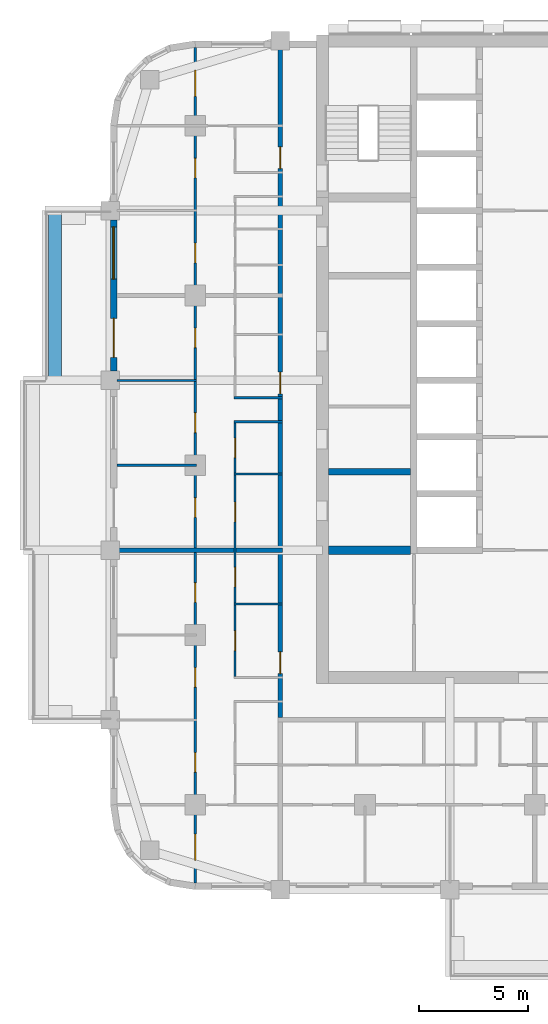
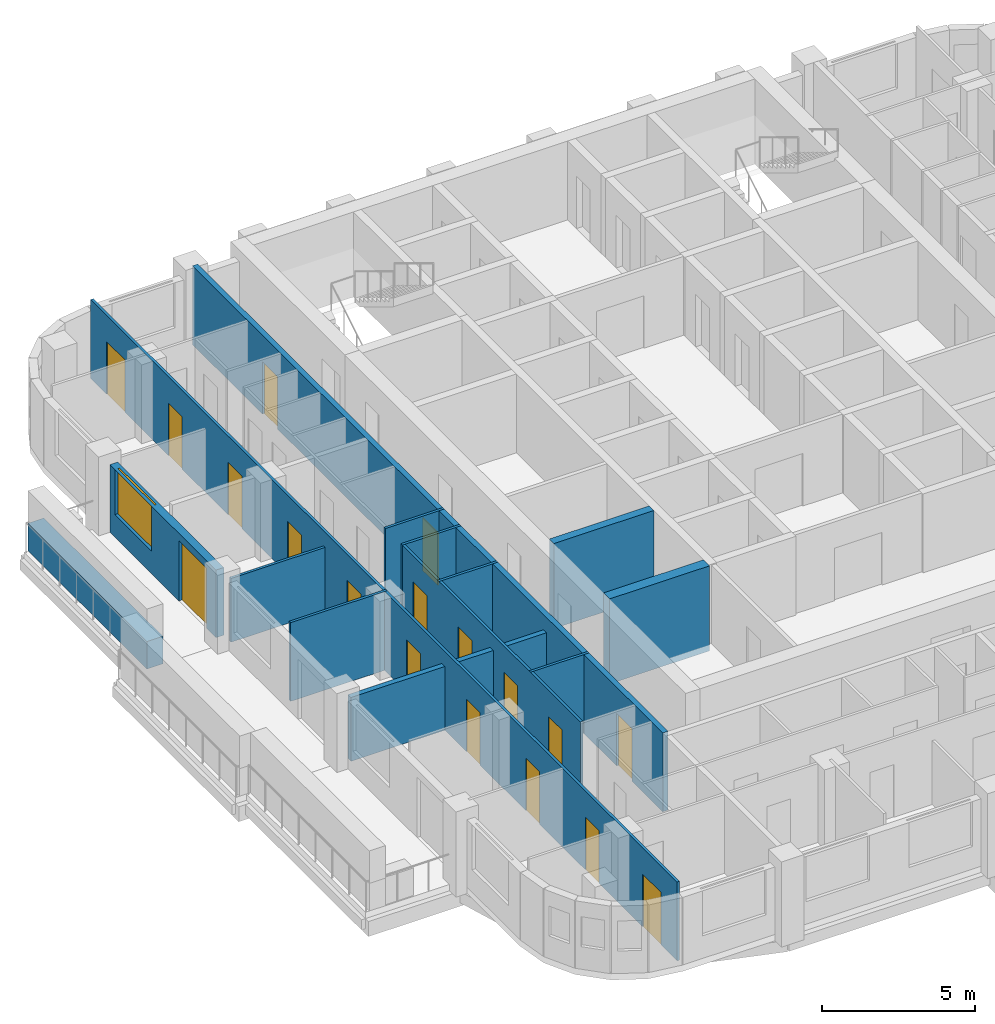
# One storey, part 4 of 14: 18 doors, 14 walls, 1 window, 19 openings.
"""IFC4 building model written with IfcOpenShell, lengths in metres."""

from ifc_helpers import new_model, si_unit, direction, frame, frame_2d, origin, place, context, subcontext, project, spatial, rectangle, extrude, material, layer, layer_set, type_object, element, fill, save


model = new_model("IFC4")

# Units and contexts
model_context = context("Model", 3, precision=1e-05, world=origin(), true_north=direction((0.0, 1.0)))
body_context = subcontext(model_context, "Body", "Model", "MODEL_VIEW")
ifc_project = project(units=[si_unit("LENGTHUNIT", "METRE"), si_unit("AREAUNIT", "SQUARE_METRE"), si_unit("VOLUMEUNIT", "CUBIC_METRE"), si_unit("PLANEANGLEUNIT", "RADIAN"), si_unit("MASSUNIT", "GRAM", prefix="KILO")], contexts=[model_context])

# Site, building, storey
site_placement = place(None, origin())
site = spatial("IfcSite", under=ifc_project, at=site_placement, CompositionType="ELEMENT")
building_placement = place(site_placement, origin())
building = spatial("IfcBuilding", under=site, at=building_placement, Name="Ludao Terraces", CompositionType="ELEMENT")
storey_placement = place(building_placement, frame((0.0, 0.0, 110.10009765625)))
storey = spatial("IfcBuildingStorey", under=building, at=storey_placement, Name="L30", CompositionType="ELEMENT", Elevation=110.10009765625)

# Wall
ifc_material_1 = material(Name="Concrete C40", Category="concrete")
ifc_layer_1 = layer(ifc_material_1, 0.60009765625)
ifc_layer_set_1 = layer_set([ifc_layer_1], Name="ENV Planter trough 600")
wall_type_1 = type_object("IfcWallType", Name="ENV Planter trough 600", PredefinedType="USERDEFINED", material=ifc_layer_set_1)
wall_1_placement = place(storey_placement, frame((62.949951171875, 68.89990234375, 0.0), z_axis=(0.0, 0.0, 1.0), x_axis=(0.0, 1.0, 0.0)))
element("IfcWall", 1, at=wall_1_placement, inside=storey, type_object=wall_type_1, Name="PL-L30-W3", ObjectType="PLANTER", PredefinedType="USERDEFINED", context=body_context, shape_type="SweptSolid", body=[
    extrude(rectangle(XDim=7.800048828125, YDim=0.60009765625, at=frame_2d((3.89990234375, 0.0))), origin(), (0.0, 0.0, 1.0), 1.099853515625),
])

# Wall, openings, door, window
ifc_material_2 = material(Name="Granite cladding", Category="masonry")
ifc_layer_2 = layer(ifc_material_2, 0.0400390625, Category="stone")
ifc_material_3 = material(Name="Mineral wool")
ifc_layer_3 = layer(ifc_material_3, 0.06005859375)
ifc_layer_4 = layer(ifc_material_1, 0.199951171875, Category="concrete")
ifc_layer_set_2 = layer_set([ifc_layer_2, ifc_layer_3, ifc_layer_4], Name="ENV Stone-clad wall 300")
wall_type_2 = type_object("IfcWallType", Name="ENV Stone-clad wall 300", PredefinedType="SOLIDWALL", material=ifc_layer_set_2)
wall_2_placement = place(storey_placement, frame((65.64990234375, 69.324951171875, 0.0), z_axis=(0.0, 0.0, 1.0), x_axis=(0.0, 1.0, 0.0)))
wall_2 = element("IfcWall", 2, at=wall_2_placement, inside=storey, type_object=wall_type_2, Name="EW-L30-W4", PredefinedType="SOLIDWALL", context=body_context, shape_type="SweptSolid", body=[
    extrude(rectangle(XDim=6.949951171875, YDim=0.300048828125, at=frame_2d((3.47509765625, 0.0))), origin(), (0.0, 0.0, 1.0), 2.699951171875),
])
opening_1_placement = place(wall_2_placement, frame((0.625, 0.0, 0.0)))
opening_1 = element("IfcOpeningElement", 3, at=opening_1_placement, cuts=wall_2, Name="Opening BD", PredefinedType="OPENING", context=body_context, shape_type="SweptSolid", body=[
    extrude(rectangle(XDim=1.800048828125, YDim=2.39990234375, at=frame_2d((0.89990234375, 1.199951171875))), frame((0.0, 0.16015625, 0.0), z_axis=(0.0, -1.0, 0.0), x_axis=(1.0, 0.0, 0.0)), (0.0, 0.0, 1.0), 0.320068359375),
])
opening_2_placement = place(wall_2_placement, frame((4.22509765625, 0.0, 0.89990234375)))
opening_2 = element("IfcOpeningElement", 4, at=opening_2_placement, cuts=wall_2, Name="Opening W1", PredefinedType="OPENING", context=body_context, shape_type="SweptSolid", body=[
    extrude(rectangle(XDim=2.39990234375, YDim=1.800048828125, at=frame_2d((1.199951171875, 0.89990234375))), frame((0.0, 0.16015625, 0.0), z_axis=(0.0, -1.0, 0.0), x_axis=(1.0, 0.0, 0.0)), (0.0, 0.0, 1.0), 0.320068359375),
])
ifc_material_4 = material(Name="Aluminium glazed door", Category="aluminium")
ifc_layer_5 = layer(ifc_material_4, 0.06005859375)
ifc_layer_set_3 = layer_set([ifc_layer_5], Name="ENV Balcony door BD 1800x2400")
door_type_1 = type_object("IfcDoorType", Name="ENV Balcony door BD 1800x2400", OperationType="DOUBLE_DOOR_SINGLE_SWING", PredefinedType="DOOR", material=ifc_layer_set_3)
door_1_placement = place(opening_1_placement, origin())
door_1 = element("IfcDoor", 5, at=door_1_placement, inside=storey, type_object=door_type_1, Name="BD-L30-W4-1", OperationType="DOUBLE_DOOR_SINGLE_SWING", OverallHeight=2.39990234375, OverallWidth=1.800048828125, PredefinedType="DOOR", context=body_context, shape_type="SweptSolid", body=[
    extrude(rectangle(XDim=1.800048828125, YDim=2.39990234375, at=frame_2d((0.89990234375, 1.199951171875))), frame((0.0, 0.02490234375, 0.0), z_axis=(0.0, -1.0, 0.0), x_axis=(1.0, 0.0, 0.0)), (0.0, 0.0, 1.0), 0.050048828125),
])
fill(opening_1, door_1)
ifc_material_5 = material(Name="Clear glass in aluminium frame", Category="aluminium")
ifc_layer_6 = layer(ifc_material_5, 0.06005859375)
ifc_layer_set_4 = layer_set([ifc_layer_6], Name="ENV Window W1 2400x1800")
window_type = type_object("IfcWindowType", Name="ENV Window W1 2400x1800", PartitioningType="DOUBLE_PANEL_VERTICAL", PredefinedType="WINDOW", material=ifc_layer_set_4)
window_placement = place(opening_2_placement, origin())
window = element("IfcWindow", 6, at=window_placement, inside=storey, type_object=window_type, Name="W-L30-W4-2", OverallHeight=1.800048828125, OverallWidth=2.39990234375, PartitioningType="DOUBLE_PANEL_VERTICAL", PredefinedType="WINDOW", context=body_context, shape_type="SweptSolid", body=[
    extrude(rectangle(XDim=2.39990234375, YDim=1.800048828125, at=frame_2d((1.199951171875, 0.89990234375))), frame((0.0, 0.030029296875, 0.0), z_axis=(0.0, -1.0, 0.0), x_axis=(1.0, 0.0, 0.0)), (0.0, 0.0, 1.0), 0.06005859375),
])
fill(opening_2, window)

# Wall, openings, doors
ifc_material_6 = material(Name="Autoclaved aerated concrete block B06 A3.5", Category="concrete")
ifc_layer_7 = layer(ifc_material_6, 0.199951171875)
ifc_layer_set_5 = layer_set([ifc_layer_7], Name="INT Entrance wall 200")
wall_type_3 = type_object("IfcWallType", Name="INT Entrance wall 200", PredefinedType="PARTITIONING", material=ifc_layer_set_5)
wall_3_placement = place(storey_placement, frame((73.300048828125, 53.400146484375, 0.0), z_axis=(0.0, 0.0, 1.0), x_axis=(0.0, 1.0, 0.0)))
wall_3 = element("IfcWall", 7, at=wall_3_placement, inside=storey, type_object=wall_type_3, Name="PW-L30-PW056", PredefinedType="PARTITIONING", context=body_context, shape_type="SweptSolid", body=[
    extrude(rectangle(XDim=30.800048828125, YDim=0.199951171875, at=frame_2d((15.39990234375, 0.0))), origin(), (0.0, 0.0, 1.0), 3.14990234375),
])
opening_3_placement = place(wall_3_placement, frame((2.02490234375, 0.0, 0.0)))
opening_3 = element("IfcOpeningElement", 8, at=opening_3_placement, cuts=wall_3, Name="Opening R09-030", PredefinedType="OPENING", context=body_context, shape_type="SweptSolid", body=[
    extrude(rectangle(XDim=1.0, YDim=2.10009765625, at=frame_2d((0.5, 1.050048828125))), frame((0.0, 0.10986328125, 0.0), z_axis=(0.0, -1.0, 0.0), x_axis=(1.0, 0.0, 0.0)), (0.0, 0.0, 1.0), 0.219970703125),
])
opening_4_placement = place(wall_3_placement, frame((14.875, 0.0, 0.0)))
opening_4 = element("IfcOpeningElement", 9, at=opening_4_placement, cuts=wall_3, Name="Opening R09-059", PredefinedType="OPENING", context=body_context, shape_type="SweptSolid", body=[
    extrude(rectangle(XDim=1.0, YDim=2.10009765625, at=frame_2d((0.5, 1.050048828125))), frame((0.0, 0.10986328125, 0.0), z_axis=(0.0, -1.0, 0.0), x_axis=(1.0, 0.0, 0.0)), (0.0, 0.0, 1.0), 0.219970703125),
])
opening_5_placement = place(wall_3_placement, frame((25.22509765625, 0.0, 0.0)))
opening_5 = element("IfcOpeningElement", 10, at=opening_5_placement, cuts=wall_3, Name="Opening R09-091", PredefinedType="OPENING", context=body_context, shape_type="SweptSolid", body=[
    extrude(rectangle(XDim=1.0, YDim=2.10009765625, at=frame_2d((0.5, 1.050048828125))), frame((0.0, 0.10986328125, 0.0), z_axis=(0.0, -1.0, 0.0), x_axis=(1.0, 0.0, 0.0)), (0.0, 0.0, 1.0), 0.219970703125),
])
ifc_material_7 = material(Name="Steel Q235", Category="steel")
door_type_2 = type_object("IfcDoorType", Name="INT Flat entrance door 1000", OperationType="SINGLE_SWING_LEFT", PredefinedType="DOOR", material=ifc_material_7)
door_2_placement = place(opening_3_placement, origin())
door_2 = element("IfcDoor", 11, at=door_2_placement, inside=storey, type_object=door_type_2, Name="DOOR 030", OperationType="SINGLE_SWING_RIGHT", OverallHeight=2.10009765625, OverallWidth=1.0, PredefinedType="DOOR", context=body_context, shape_type="SweptSolid", body=[
    extrude(rectangle(XDim=1.0, YDim=2.10009765625, at=frame_2d((0.5, 1.050048828125))), frame((0.0, 0.02490234375, 0.0), z_axis=(0.0, -1.0, 0.0), x_axis=(1.0, 0.0, 0.0)), (0.0, 0.0, 1.0), 0.050048828125),
])
fill(opening_3, door_2)
door_3_placement = place(opening_4_placement, origin())
door_3 = element("IfcDoor", 12, at=door_3_placement, inside=storey, type_object=door_type_2, Name="DOOR 059", OperationType="SINGLE_SWING_RIGHT", OverallHeight=2.10009765625, OverallWidth=1.0, PredefinedType="DOOR", context=body_context, shape_type="SweptSolid", body=[
    extrude(rectangle(XDim=1.0, YDim=2.10009765625, at=frame_2d((0.5, 1.050048828125))), frame((0.0, 0.02490234375, 0.0), z_axis=(0.0, -1.0, 0.0), x_axis=(1.0, 0.0, 0.0)), (0.0, 0.0, 1.0), 0.050048828125),
])
fill(opening_4, door_3)
door_4_placement = place(opening_5_placement, origin())
door_4 = element("IfcDoor", 13, at=door_4_placement, inside=storey, type_object=door_type_2, Name="DOOR 091", OperationType="SINGLE_SWING_RIGHT", OverallHeight=2.10009765625, OverallWidth=1.0, PredefinedType="DOOR", context=body_context, shape_type="SweptSolid", body=[
    extrude(rectangle(XDim=1.0, YDim=2.10009765625, at=frame_2d((0.5, 1.050048828125))), frame((0.0, 0.02490234375, 0.0), z_axis=(0.0, -1.0, 0.0), x_axis=(1.0, 0.0, 0.0)), (0.0, 0.0, 1.0), 0.050048828125),
])
fill(opening_5, door_4)

# Walls
ifc_material_8 = material(Name="Gypsum plasterboard", Category="gypsum")
ifc_layer_8 = layer(ifc_material_8, 0.012451171875, Category="gypsum")
ifc_layer_9 = layer(ifc_material_3, 0.06005859375, Name="insulation")
ifc_layer_10 = layer(ifc_material_7, 0.014892578125, Name="stud")
ifc_layer_11 = layer(ifc_material_8, 0.012451171875, Category="gypsum")
ifc_layer_set_6 = layer_set([ifc_layer_8, ifc_layer_9, ifc_layer_10, ifc_layer_11], Name="INT Partition 100")
wall_type_4 = type_object("IfcWallType", Name="INT Partition 100", PredefinedType="PARTITIONING", material=ifc_layer_set_6)
for number, where, z_axis, x_axis, name in (
    (14, (71.18017578125, 58.6201171875, 0.0), (0.0, 0.0, 1.0), (1.0, 0.0, 0.0), "PW-L30-PW015"),
    (15, (71.18017578125, 64.60009765625, 0.0), (0.0, 0.0, 1.0), (1.0, 0.0, 0.0), "PW-L30-PW021"),
):
    element("IfcWall", number, at=place(storey_placement, frame(where, z_axis=z_axis, x_axis=x_axis)), inside=storey, type_object=wall_type_4, Name=name, PredefinedType="PARTITIONING", context=body_context, shape_type="SweptSolid", body=[
        extrude(rectangle(XDim=2.219970703125, YDim=0.10009765625, at=frame_2d((1.10986328125, 0.0))), origin(), (0.0, 0.0, 1.0), 3.14990234375),
    ])
wall_4_placement = place(storey_placement, frame((65.800048828125, 65.0, 0.0), z_axis=(0.0, 0.0, 1.0), x_axis=(1.0, 0.0, 0.0)))
element("IfcWall", 16, at=wall_4_placement, inside=storey, type_object=wall_type_4, Name="PW-L30-PW022", PredefinedType="PARTITIONING", context=body_context, shape_type="SweptSolid", body=[
    extrude(rectangle(XDim=3.650146484375, YDim=0.10009765625, at=frame_2d((1.8251953125, 0.0))), origin(), (0.0, 0.0, 1.0), 3.14990234375),
])
for number, where, z_axis, x_axis, name in (
    (17, (71.18017578125, 67.0, 0.0), (0.0, 0.0, 1.0), (1.0, 0.0, 0.0), "PW-L30-PW026"),
    (18, (71.18017578125, 68.10009765625, 0.0), (0.0, 0.0, 1.0), (1.0, 0.0, 0.0), "PW-L30-PW030"),
):
    element("IfcWall", number, at=place(storey_placement, frame(where, z_axis=z_axis, x_axis=x_axis)), inside=storey, type_object=wall_type_4, Name=name, PredefinedType="PARTITIONING", context=body_context, shape_type="SweptSolid", body=[
        extrude(rectangle(XDim=2.219970703125, YDim=0.10009765625, at=frame_2d((1.10986328125, 0.0))), origin(), (0.0, 0.0, 1.0), 3.14990234375),
    ])
wall_5_placement = place(storey_placement, frame((65.800048828125, 68.89990234375, 0.0), z_axis=(0.0, 0.0, 1.0), x_axis=(1.0, 0.0, 0.0)))
element("IfcWall", 19, at=wall_5_placement, inside=storey, type_object=wall_type_4, Name="PW-L30-PW031", PredefinedType="PARTITIONING", context=body_context, shape_type="SweptSolid", body=[
    extrude(rectangle(XDim=3.650146484375, YDim=0.10009765625, at=frame_2d((1.8251953125, 0.0))), origin(), (0.0, 0.0, 1.0), 2.5498046875),
])

# Wall, openings, doors
wall_6_placement = place(storey_placement, frame((69.39990234375, 45.800048828125, 0.0), z_axis=(0.0, 0.0, 1.0), x_axis=(0.0, 1.0, 0.0)))
wall_6 = element("IfcWall", 20, at=wall_6_placement, inside=storey, type_object=wall_type_4, Name="PW-L30-PW050", PredefinedType="PARTITIONING", context=body_context, shape_type="SweptSolid", body=[
    extrude(rectangle(XDim=38.400146484375, YDim=0.10009765625, at=frame_2d((19.2001953125, 0.0))), origin(), (0.0, 0.0, 1.0), 3.14990234375),
])
opening_6_placement = place(wall_6_placement, frame((1.050048828125, 0.0, 0.0)))
opening_6 = element("IfcOpeningElement", 21, at=opening_6_placement, cuts=wall_6, Name="Opening R09-001", PredefinedType="OPENING", context=body_context, shape_type="SweptSolid", body=[
    extrude(rectangle(XDim=1.199951171875, YDim=2.10009765625, at=frame_2d((0.60009765625, 1.050048828125))), frame((0.0, 0.06005859375, 0.0), z_axis=(0.0, -1.0, 0.0), x_axis=(1.0, 0.0, 0.0)), (0.0, 0.0, 1.0), 0.1201171875),
])
opening_7_placement = place(wall_6_placement, frame((5.10009765625, 0.0, 0.0)))
opening_7 = element("IfcOpeningElement", 22, at=opening_7_placement, cuts=wall_6, Name="Opening R09-021", PredefinedType="OPENING", context=body_context, shape_type="SweptSolid", body=[
    extrude(rectangle(XDim=0.89990234375, YDim=2.10009765625, at=frame_2d((0.449951171875, 1.050048828125))), frame((0.0, 0.06005859375, 0.0), z_axis=(0.0, -1.0, 0.0), x_axis=(1.0, 0.0, 0.0)), (0.0, 0.0, 1.0), 0.1201171875),
])
opening_8_placement = place(wall_6_placement, frame((9.0, 0.0, 0.0)))
opening_8 = element("IfcOpeningElement", 23, at=opening_8_placement, cuts=wall_6, Name="Opening R09-028", PredefinedType="OPENING", context=body_context, shape_type="SweptSolid", body=[
    extrude(rectangle(XDim=0.89990234375, YDim=2.10009765625, at=frame_2d((0.449951171875, 1.050048828125))), frame((0.0, 0.06005859375, 0.0), z_axis=(0.0, -1.0, 0.0), x_axis=(1.0, 0.0, 0.0)), (0.0, 0.0, 1.0), 0.1201171875),
])
opening_9_placement = place(wall_6_placement, frame((12.89990234375, 0.0, 0.0)))
opening_9 = element("IfcOpeningElement", 24, at=opening_9_placement, cuts=wall_6, Name="Opening R09-038", PredefinedType="OPENING", context=body_context, shape_type="SweptSolid", body=[
    extrude(rectangle(XDim=0.89990234375, YDim=2.10009765625, at=frame_2d((0.449951171875, 1.050048828125))), frame((0.0, 0.06005859375, 0.0), z_axis=(0.0, -1.0, 0.0), x_axis=(1.0, 0.0, 0.0)), (0.0, 0.0, 1.0), 0.1201171875),
])
opening_10_placement = place(wall_6_placement, frame((16.800048828125, 0.0, 0.0)))
opening_10 = element("IfcOpeningElement", 25, at=opening_10_placement, cuts=wall_6, Name="Opening R09-046", PredefinedType="OPENING", context=body_context, shape_type="SweptSolid", body=[
    extrude(rectangle(XDim=0.89990234375, YDim=2.10009765625, at=frame_2d((0.449951171875, 1.050048828125))), frame((0.0, 0.06005859375, 0.0), z_axis=(0.0, -1.0, 0.0), x_axis=(1.0, 0.0, 0.0)), (0.0, 0.0, 1.0), 0.1201171875),
])
opening_11_placement = place(wall_6_placement, frame((20.699951171875, 0.0, 0.0)))
opening_11 = element("IfcOpeningElement", 26, at=opening_11_placement, cuts=wall_6, Name="Opening R09-055", PredefinedType="OPENING", context=body_context, shape_type="SweptSolid", body=[
    extrude(rectangle(XDim=0.89990234375, YDim=2.10009765625, at=frame_2d((0.449951171875, 1.050048828125))), frame((0.0, 0.06005859375, 0.0), z_axis=(0.0, -1.0, 0.0), x_axis=(1.0, 0.0, 0.0)), (0.0, 0.0, 1.0), 0.1201171875),
])
opening_12_placement = place(wall_6_placement, frame((24.60009765625, 0.0, 0.0)))
opening_12 = element("IfcOpeningElement", 27, at=opening_12_placement, cuts=wall_6, Name="Opening R09-065", PredefinedType="OPENING", context=body_context, shape_type="SweptSolid", body=[
    extrude(rectangle(XDim=0.89990234375, YDim=2.10009765625, at=frame_2d((0.449951171875, 1.050048828125))), frame((0.0, 0.06005859375, 0.0), z_axis=(0.0, -1.0, 0.0), x_axis=(1.0, 0.0, 0.0)), (0.0, 0.0, 1.0), 0.1201171875),
])
opening_13_placement = place(wall_6_placement, frame((28.5, 0.0, 0.0)))
opening_13 = element("IfcOpeningElement", 28, at=opening_13_placement, cuts=wall_6, Name="Opening R09-074", PredefinedType="OPENING", context=body_context, shape_type="SweptSolid", body=[
    extrude(rectangle(XDim=0.89990234375, YDim=2.10009765625, at=frame_2d((0.449951171875, 1.050048828125))), frame((0.0, 0.06005859375, 0.0), z_axis=(0.0, -1.0, 0.0), x_axis=(1.0, 0.0, 0.0)), (0.0, 0.0, 1.0), 0.1201171875),
])
opening_14_placement = place(wall_6_placement, frame((32.39990234375, 0.0, 0.0)))
opening_14 = element("IfcOpeningElement", 29, at=opening_14_placement, cuts=wall_6, Name="Opening R09-089", PredefinedType="OPENING", context=body_context, shape_type="SweptSolid", body=[
    extrude(rectangle(XDim=0.89990234375, YDim=2.10009765625, at=frame_2d((0.449951171875, 1.050048828125))), frame((0.0, 0.06005859375, 0.0), z_axis=(0.0, -1.0, 0.0), x_axis=(1.0, 0.0, 0.0)), (0.0, 0.0, 1.0), 0.1201171875),
])
opening_15_placement = place(wall_6_placement, frame((36.14990234375, 0.0, 0.0)))
opening_15 = element("IfcOpeningElement", 30, at=opening_15_placement, cuts=wall_6, Name="Opening R09-098", PredefinedType="OPENING", context=body_context, shape_type="SweptSolid", body=[
    extrude(rectangle(XDim=1.199951171875, YDim=2.10009765625, at=frame_2d((0.60009765625, 1.050048828125))), frame((0.0, 0.06005859375, 0.0), z_axis=(0.0, -1.0, 0.0), x_axis=(1.0, 0.0, 0.0)), (0.0, 0.0, 1.0), 0.1201171875),
])
ifc_material_9 = material(Name="Timber door leaf", Category="wood")
door_type_3 = type_object("IfcDoorType", Name="INT Double door 1200", OperationType="DOUBLE_DOOR_SINGLE_SWING", PredefinedType="DOOR", material=ifc_material_9)
door_5_placement = place(opening_6_placement, origin())
door_5 = element("IfcDoor", 31, at=door_5_placement, inside=storey, type_object=door_type_3, Name="DOOR 001", OperationType="DOUBLE_DOOR_SINGLE_SWING", OverallHeight=2.10009765625, OverallWidth=1.199951171875, PredefinedType="DOOR", context=body_context, shape_type="SweptSolid", body=[
    extrude(rectangle(XDim=1.199951171875, YDim=2.10009765625, at=frame_2d((0.60009765625, 1.050048828125))), frame((0.0, 0.02490234375, 0.0), z_axis=(0.0, -1.0, 0.0), x_axis=(1.0, 0.0, 0.0)), (0.0, 0.0, 1.0), 0.050048828125),
])
fill(opening_6, door_5)
door_6_placement = place(opening_15_placement, origin())
door_6 = element("IfcDoor", 32, at=door_6_placement, inside=storey, type_object=door_type_3, Name="DOOR 098", OperationType="DOUBLE_DOOR_SINGLE_SWING", OverallHeight=2.10009765625, OverallWidth=1.199951171875, PredefinedType="DOOR", context=body_context, shape_type="SweptSolid", body=[
    extrude(rectangle(XDim=1.199951171875, YDim=2.10009765625, at=frame_2d((0.60009765625, 1.050048828125))), frame((0.0, 0.02490234375, 0.0), z_axis=(0.0, -1.0, 0.0), x_axis=(1.0, 0.0, 0.0)), (0.0, 0.0, 1.0), 0.050048828125),
])
fill(opening_15, door_6)
door_type_4 = type_object("IfcDoorType", Name="INT Room door 900", OperationType="SINGLE_SWING_LEFT", PredefinedType="DOOR", material=ifc_material_9)
door_7_placement = place(opening_7_placement, origin())
door_7 = element("IfcDoor", 33, at=door_7_placement, inside=storey, type_object=door_type_4, Name="DOOR 021", OperationType="SINGLE_SWING_LEFT", OverallHeight=2.10009765625, OverallWidth=0.89990234375, PredefinedType="DOOR", context=body_context, shape_type="SweptSolid", body=[
    extrude(rectangle(XDim=0.89990234375, YDim=2.10009765625, at=frame_2d((0.449951171875, 1.050048828125))), frame((0.0, 0.02490234375, 0.0), z_axis=(0.0, -1.0, 0.0), x_axis=(1.0, 0.0, 0.0)), (0.0, 0.0, 1.0), 0.050048828125),
])
fill(opening_7, door_7)
door_8_placement = place(opening_8_placement, origin())
door_8 = element("IfcDoor", 34, at=door_8_placement, inside=storey, type_object=door_type_4, Name="DOOR 028", OperationType="SINGLE_SWING_LEFT", OverallHeight=2.10009765625, OverallWidth=0.89990234375, PredefinedType="DOOR", context=body_context, shape_type="SweptSolid", body=[
    extrude(rectangle(XDim=0.89990234375, YDim=2.10009765625, at=frame_2d((0.449951171875, 1.050048828125))), frame((0.0, 0.02490234375, 0.0), z_axis=(0.0, -1.0, 0.0), x_axis=(1.0, 0.0, 0.0)), (0.0, 0.0, 1.0), 0.050048828125),
])
fill(opening_8, door_8)
door_9_placement = place(opening_9_placement, origin())
door_9 = element("IfcDoor", 35, at=door_9_placement, inside=storey, type_object=door_type_4, Name="DOOR 038", OperationType="SINGLE_SWING_LEFT", OverallHeight=2.10009765625, OverallWidth=0.89990234375, PredefinedType="DOOR", context=body_context, shape_type="SweptSolid", body=[
    extrude(rectangle(XDim=0.89990234375, YDim=2.10009765625, at=frame_2d((0.449951171875, 1.050048828125))), frame((0.0, 0.02490234375, 0.0), z_axis=(0.0, -1.0, 0.0), x_axis=(1.0, 0.0, 0.0)), (0.0, 0.0, 1.0), 0.050048828125),
])
fill(opening_9, door_9)
door_10_placement = place(opening_10_placement, origin())
door_10 = element("IfcDoor", 36, at=door_10_placement, inside=storey, type_object=door_type_4, Name="DOOR 046", OperationType="SINGLE_SWING_RIGHT", OverallHeight=2.10009765625, OverallWidth=0.89990234375, PredefinedType="DOOR", context=body_context, shape_type="SweptSolid", body=[
    extrude(rectangle(XDim=0.89990234375, YDim=2.10009765625, at=frame_2d((0.449951171875, 1.050048828125))), frame((0.0, 0.02490234375, 0.0), z_axis=(0.0, -1.0, 0.0), x_axis=(1.0, 0.0, 0.0)), (0.0, 0.0, 1.0), 0.050048828125),
])
fill(opening_10, door_10)
door_11_placement = place(opening_11_placement, origin())
door_11 = element("IfcDoor", 37, at=door_11_placement, inside=storey, type_object=door_type_4, Name="DOOR 055", OperationType="SINGLE_SWING_RIGHT", OverallHeight=2.10009765625, OverallWidth=0.89990234375, PredefinedType="DOOR", context=body_context, shape_type="SweptSolid", body=[
    extrude(rectangle(XDim=0.89990234375, YDim=2.10009765625, at=frame_2d((0.449951171875, 1.050048828125))), frame((0.0, 0.02490234375, 0.0), z_axis=(0.0, -1.0, 0.0), x_axis=(1.0, 0.0, 0.0)), (0.0, 0.0, 1.0), 0.050048828125),
])
fill(opening_11, door_11)
door_12_placement = place(opening_12_placement, origin())
door_12 = element("IfcDoor", 38, at=door_12_placement, inside=storey, type_object=door_type_4, Name="DOOR 065", OperationType="SINGLE_SWING_LEFT", OverallHeight=2.10009765625, OverallWidth=0.89990234375, PredefinedType="DOOR", context=body_context, shape_type="SweptSolid", body=[
    extrude(rectangle(XDim=0.89990234375, YDim=2.10009765625, at=frame_2d((0.449951171875, 1.050048828125))), frame((0.0, 0.02490234375, 0.0), z_axis=(0.0, -1.0, 0.0), x_axis=(1.0, 0.0, 0.0)), (0.0, 0.0, 1.0), 0.050048828125),
])
fill(opening_12, door_12)
door_13_placement = place(opening_13_placement, origin())
door_13 = element("IfcDoor", 39, at=door_13_placement, inside=storey, type_object=door_type_4, Name="DOOR 074", OperationType="SINGLE_SWING_LEFT", OverallHeight=2.10009765625, OverallWidth=0.89990234375, PredefinedType="DOOR", context=body_context, shape_type="SweptSolid", body=[
    extrude(rectangle(XDim=0.89990234375, YDim=2.10009765625, at=frame_2d((0.449951171875, 1.050048828125))), frame((0.0, 0.02490234375, 0.0), z_axis=(0.0, -1.0, 0.0), x_axis=(1.0, 0.0, 0.0)), (0.0, 0.0, 1.0), 0.050048828125),
])
fill(opening_13, door_13)
door_14_placement = place(opening_14_placement, origin())
door_14 = element("IfcDoor", 40, at=door_14_placement, inside=storey, type_object=door_type_4, Name="DOOR 089", OperationType="SINGLE_SWING_LEFT", OverallHeight=2.10009765625, OverallWidth=0.89990234375, PredefinedType="DOOR", context=body_context, shape_type="SweptSolid", body=[
    extrude(rectangle(XDim=0.89990234375, YDim=2.10009765625, at=frame_2d((0.449951171875, 1.050048828125))), frame((0.0, 0.02490234375, 0.0), z_axis=(0.0, -1.0, 0.0), x_axis=(1.0, 0.0, 0.0)), (0.0, 0.0, 1.0), 0.050048828125),
])
fill(opening_14, door_14)

wall_7_placement = place(storey_placement, frame((71.22998046875, 55.300048828125, 0.0), z_axis=(0.0, 0.0, 1.0), x_axis=(0.0, 1.0, 0.0)))
wall_7 = element("IfcWall", 41, at=wall_7_placement, inside=storey, type_object=wall_type_4, Name="PW-L30-PW052", PredefinedType="PARTITIONING", context=body_context, shape_type="SweptSolid", body=[
    extrude(rectangle(XDim=11.650146484375, YDim=0.10009765625, at=frame_2d((5.8251953125, 0.0))), origin(), (0.0, 0.0, 1.0), 3.14990234375),
])
opening_16_placement = place(wall_7_placement, frame((1.18505859375, 0.0, 0.0)))
opening_16 = element("IfcOpeningElement", 42, at=opening_16_placement, cuts=wall_7, Name="Opening R09-035", PredefinedType="OPENING", context=body_context, shape_type="SweptSolid", body=[
    extrude(rectangle(XDim=0.89990234375, YDim=2.10009765625, at=frame_2d((0.449951171875, 1.050048828125))), frame((0.0, 0.06005859375, 0.0), z_axis=(0.0, -1.0, 0.0), x_axis=(1.0, 0.0, 0.0)), (0.0, 0.0, 1.0), 0.1201171875),
])
opening_17_placement = place(wall_7_placement, frame((4.110107421875, 0.0, 0.0)))
opening_17 = element("IfcOpeningElement", 43, at=opening_17_placement, cuts=wall_7, Name="Opening R09-039", PredefinedType="OPENING", context=body_context, shape_type="SweptSolid", body=[
    extrude(rectangle(XDim=0.89990234375, YDim=2.10009765625, at=frame_2d((0.449951171875, 1.050048828125))), frame((0.0, 0.06005859375, 0.0), z_axis=(0.0, -1.0, 0.0), x_axis=(1.0, 0.0, 0.0)), (0.0, 0.0, 1.0), 0.1201171875),
])
opening_18_placement = place(wall_7_placement, frame((7.10009765625, 0.0, 0.0)))
opening_18 = element("IfcOpeningElement", 44, at=opening_18_placement, cuts=wall_7, Name="Opening R09-044", PredefinedType="OPENING", context=body_context, shape_type="SweptSolid", body=[
    extrude(rectangle(XDim=0.89990234375, YDim=2.10009765625, at=frame_2d((0.449951171875, 1.050048828125))), frame((0.0, 0.06005859375, 0.0), z_axis=(0.0, -1.0, 0.0), x_axis=(1.0, 0.0, 0.0)), (0.0, 0.0, 1.0), 0.1201171875),
])
opening_19_placement = place(wall_7_placement, frame((10.050048828125, 0.0, 0.0)))
opening_19 = element("IfcOpeningElement", 45, at=opening_19_placement, cuts=wall_7, Name="Opening R09-051", PredefinedType="OPENING", context=body_context, shape_type="SweptSolid", body=[
    extrude(rectangle(XDim=0.89990234375, YDim=2.10009765625, at=frame_2d((0.449951171875, 1.050048828125))), frame((0.0, 0.06005859375, 0.0), z_axis=(0.0, -1.0, 0.0), x_axis=(1.0, 0.0, 0.0)), (0.0, 0.0, 1.0), 0.1201171875),
])
door_type_5 = type_object("IfcDoorType", Name="INT Bathroom door 900", OperationType="SINGLE_SWING_LEFT", PredefinedType="DOOR", material=ifc_material_9)
door_15_placement = place(opening_17_placement, origin())
door_15 = element("IfcDoor", 46, at=door_15_placement, inside=storey, type_object=door_type_5, Name="DOOR 039", OperationType="SINGLE_SWING_LEFT", OverallHeight=2.10009765625, OverallWidth=0.89990234375, PredefinedType="DOOR", context=body_context, shape_type="SweptSolid", body=[
    extrude(rectangle(XDim=0.89990234375, YDim=2.10009765625, at=frame_2d((0.449951171875, 1.050048828125))), frame((0.0, 0.02490234375, 0.0), z_axis=(0.0, -1.0, 0.0), x_axis=(1.0, 0.0, 0.0)), (0.0, 0.0, 1.0), 0.050048828125),
])
fill(opening_17, door_15)
door_16_placement = place(opening_19_placement, origin())
door_16 = element("IfcDoor", 47, at=door_16_placement, inside=storey, type_object=door_type_5, Name="DOOR 051", OperationType="SINGLE_SWING_RIGHT", OverallHeight=2.10009765625, OverallWidth=0.89990234375, PredefinedType="DOOR", context=body_context, shape_type="SweptSolid", body=[
    extrude(rectangle(XDim=0.89990234375, YDim=2.10009765625, at=frame_2d((0.449951171875, 1.050048828125))), frame((0.0, 0.02490234375, 0.0), z_axis=(0.0, -1.0, 0.0), x_axis=(1.0, 0.0, 0.0)), (0.0, 0.0, 1.0), 0.050048828125),
])
fill(opening_19, door_16)
door_17_placement = place(opening_16_placement, origin())
door_17 = element("IfcDoor", 48, at=door_17_placement, inside=storey, type_object=door_type_4, Name="DOOR 035", OperationType="SINGLE_SWING_LEFT", OverallHeight=2.10009765625, OverallWidth=0.89990234375, PredefinedType="DOOR", context=body_context, shape_type="SweptSolid", body=[
    extrude(rectangle(XDim=0.89990234375, YDim=2.10009765625, at=frame_2d((0.449951171875, 1.050048828125))), frame((0.0, 0.02490234375, 0.0), z_axis=(0.0, -1.0, 0.0), x_axis=(1.0, 0.0, 0.0)), (0.0, 0.0, 1.0), 0.050048828125),
])
fill(opening_16, door_17)
door_18_placement = place(opening_18_placement, origin())
door_18 = element("IfcDoor", 49, at=door_18_placement, inside=storey, type_object=door_type_4, Name="DOOR 044", OperationType="SINGLE_SWING_RIGHT", OverallHeight=2.10009765625, OverallWidth=0.89990234375, PredefinedType="DOOR", context=body_context, shape_type="SweptSolid", body=[
    extrude(rectangle(XDim=0.89990234375, YDim=2.10009765625, at=frame_2d((0.449951171875, 1.050048828125))), frame((0.0, 0.02490234375, 0.0), z_axis=(0.0, -1.0, 0.0), x_axis=(1.0, 0.0, 0.0)), (0.0, 0.0, 1.0), 0.050048828125),
])
fill(opening_18, door_18)

# Walls
ifc_layer_12 = layer(ifc_material_6, 0.199951171875)
ifc_layer_set_7 = layer_set([ifc_layer_12], Name="INT Party wall 200")
wall_type_5 = type_object("IfcWallType", Name="INT Party wall 200", PredefinedType="PARTITIONING", material=ifc_layer_set_7)
wall_8_placement = place(storey_placement, frame((65.800048828125, 61.10009765625, 0.0), z_axis=(0.0, 0.0, 1.0), x_axis=(1.0, 0.0, 0.0)))
element("IfcWall", 50, at=wall_8_placement, inside=storey, type_object=wall_type_5, Name="PW-L30-PW017", PredefinedType="PARTITIONING", context=body_context, shape_type="SweptSolid", body=[
    extrude(rectangle(XDim=7.60009765625, YDim=0.199951171875, at=frame_2d((3.800048828125, 0.0))), origin(), (0.0, 0.0, 1.0), 2.5498046875),
])
ifc_material_10 = material(Name="Concrete C55", Category="concrete")
ifc_layer_13 = layer(ifc_material_10, 0.300048828125)
ifc_layer_set_8 = layer_set([ifc_layer_13], Name="Shaft wall 300 C55")
wall_type_6 = type_object("IfcWallType", Name="Shaft wall 300 C55", PredefinedType="SOLIDWALL", material=ifc_layer_set_8)
wall_9_placement = place(storey_placement, frame((75.52490234375, 64.699951171875, -0.25), z_axis=(0.0, 0.0, 1.0), x_axis=(1.0, 0.0, 0.0)))
element("IfcWall", 51, at=wall_9_placement, inside=storey, type_object=wall_type_6, Name="Core wall L30 riser-a-W", PredefinedType="SOLIDWALL", context=body_context, shape_type="SweptSolid", body=[
    extrude(rectangle(XDim=3.775146484375, YDim=0.300048828125, at=frame_2d((1.8876953125, 0.0))), origin(), (0.0, 0.0, 1.0), 3.39990234375),
])
ifc_layer_14 = layer(ifc_material_10, 0.39990234375)
ifc_layer_set_9 = layer_set([ifc_layer_14], Name="Shaft wall 400 C55")
wall_type_7 = type_object("IfcWallType", Name="Shaft wall 400 C55", PredefinedType="SOLIDWALL", material=ifc_layer_set_9)
wall_10_placement = place(storey_placement, frame((75.52490234375, 61.10009765625, -0.25), z_axis=(0.0, 0.0, 1.0), x_axis=(1.0, 0.0, 0.0)))
element("IfcWall", 52, at=wall_10_placement, inside=storey, type_object=wall_type_7, Name="Core wall L30 hall-W", PredefinedType="SOLIDWALL", context=body_context, shape_type="SweptSolid", body=[
    extrude(rectangle(XDim=3.775146484375, YDim=0.39990234375, at=frame_2d((1.8876953125, 0.0))), origin(), (0.0, 0.0, 1.0), 3.39990234375),
])

save(model, "model.ifc")
